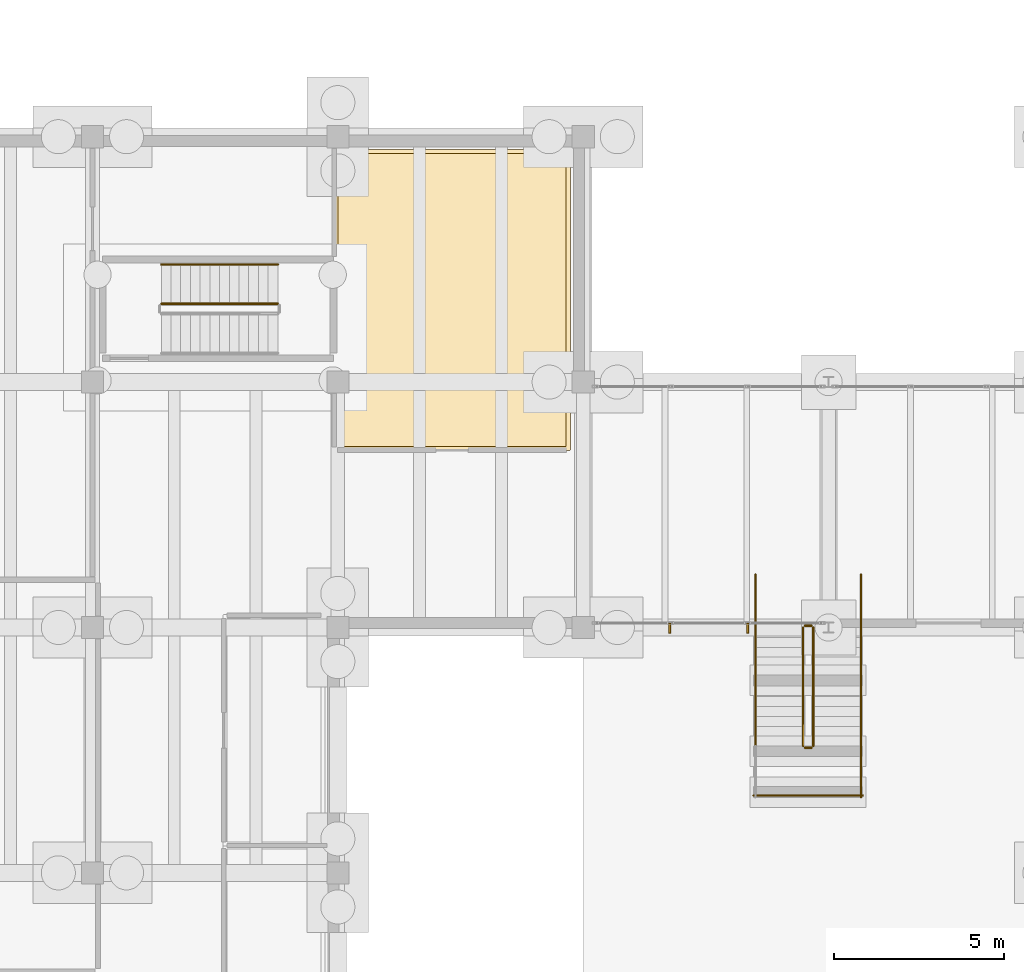
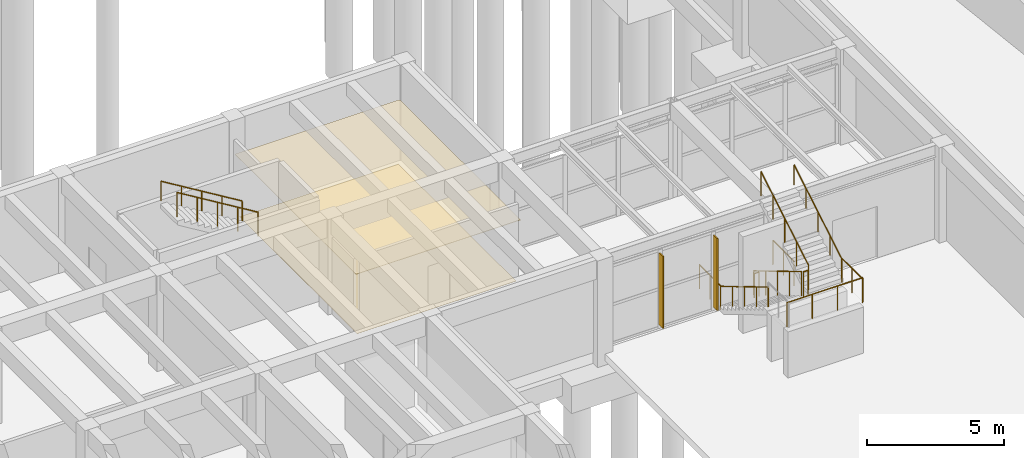
# One storey, part 24 of 28: 12 railings, 2 coverings, 2 shading devices.
"""IFC4 building model written with IfcOpenShell, lengths in metres."""

from ifc_helpers import new_model, si_unit, direction, frame, origin, origin_2d, place, context, subcontext, project, spatial, polyline, rectangle, circle, outline, extrude, material, layer, layer_set, type_object, element, save


model = new_model("IFC4")

# Units and contexts
model_context = context("Model", 3, precision=1e-05, world=origin(), true_north=direction((0.0, 1.0)))
body_context = subcontext(model_context, "Body", "Model", "MODEL_VIEW")
ifc_project = project(units=[si_unit("LENGTHUNIT", "METRE"), si_unit("AREAUNIT", "SQUARE_METRE"), si_unit("VOLUMEUNIT", "CUBIC_METRE"), si_unit("PLANEANGLEUNIT", "RADIAN"), si_unit("MASSUNIT", "GRAM", prefix="KILO")], contexts=[model_context])

# Site, building, storey
site_placement = place(None, origin())
site = spatial("IfcSite", under=ifc_project, at=site_placement, CompositionType="ELEMENT")
building_placement = place(site_placement, origin())
building = spatial("IfcBuilding", under=site, at=building_placement, Name="Bramvelor Terrace Health Centre", CompositionType="ELEMENT")
storey_placement = place(building_placement, frame((0.0, 0.0, -4.5)))
storey = spatial("IfcBuildingStorey", under=building, at=storey_placement, Name="B1", CompositionType="ELEMENT", Elevation=-4.5)

# Coverings
ifc_material_1 = material(Name="Hygienic mineral-fibre acoustic ceiling", Category="gypsum")
ifc_layer_1 = layer(ifc_material_1, 0.02001953125)
ifc_layer_set_1 = layer_set([ifc_layer_1], Name="Hygienic mineral-fibre acoustic ceiling")
covering_type_1 = type_object("IfcCoveringType", Name="COV-CLG-ACT", PredefinedType="CEILING", material=ifc_layer_set_1)
covering_1_placement = place(storey_placement, frame((0.0, 0.0, 2.75)))
element("IfcCovering", 1, at=covering_1_placement, inside=storey, type_object=covering_type_1, Name="B1 Bulk Pharmacy Cold-Chain Store Acoustic Ceiling", PredefinedType="CEILING", context=body_context, shape_type="SweptSolid", body=[
    extrude(outline(polyline([(21.47998046875, 64.39990234375), (21.47998046875, 64.402099609375), (21.48046875, 64.40380859375), (21.48095703125, 64.40576171875), (21.4814453125, 64.40771484375), (21.482421875, 64.409423828125), (21.4833984375, 64.4111328125), (21.484619140625, 64.41259765625), (21.48583984375, 64.4140625), (21.4873046875, 64.41552734375), (21.489013671875, 64.41650390625), (21.490478515625, 64.41748046875), (21.4921875, 64.41845703125), (21.494140625, 64.419189453125), (21.49609375, 64.419677734375), (21.498046875, 64.419921875), (21.5, 64.419921875), (28.39990234375, 64.419921875), (28.402099609375, 64.419921875), (28.40380859375, 64.419677734375), (28.40576171875, 64.419189453125), (28.40771484375, 64.41845703125), (28.409423828125, 64.41748046875), (28.4111328125, 64.41650390625), (28.41259765625, 64.41552734375), (28.4140625, 64.4140625), (28.41552734375, 64.41259765625), (28.41650390625, 64.4111328125), (28.41748046875, 64.409423828125), (28.41845703125, 64.40771484375), (28.419189453125, 64.40576171875), (28.419677734375, 64.40380859375), (28.419921875, 64.402099609375), (28.419921875, 64.39990234375), (28.419921875, 55.610107421875), (28.419921875, 55.60791015625), (28.419677734375, 55.606201171875), (28.419189453125, 55.604248046875), (28.41845703125, 55.602294921875), (28.41748046875, 55.6005859375), (28.41650390625, 55.598876953125), (28.41552734375, 55.597412109375), (28.4140625, 55.595947265625), (28.41259765625, 55.594482421875), (28.4111328125, 55.593505859375), (28.409423828125, 55.59228515625), (28.40771484375, 55.591552734375), (28.40576171875, 55.5908203125), (28.40380859375, 55.59033203125), (28.402099609375, 55.590087890625), (28.39990234375, 55.590087890625), (21.5, 55.590087890625), (21.498046875, 55.590087890625), (21.49609375, 55.59033203125), (21.494140625, 55.5908203125), (21.4921875, 55.591552734375), (21.490478515625, 55.59228515625), (21.489013671875, 55.593505859375), (21.4873046875, 55.594482421875), (21.48583984375, 55.595947265625), (21.484619140625, 55.597412109375), (21.4833984375, 55.598876953125), (21.482421875, 55.6005859375), (21.4814453125, 55.602294921875), (21.48095703125, 55.604248046875), (21.48046875, 55.606201171875), (21.47998046875, 55.60791015625), (21.47998046875, 55.610107421875), (21.47998046875, 64.39990234375)])), origin(), (0.0, 0.0, 1.0), 0.02001953125),
])
ifc_material_2 = material(Name="Seamless antimicrobial clinical vinyl", Category="polymer")
ifc_layer_2 = layer(ifc_material_2, 0.008056640625)
ifc_layer_set_2 = layer_set([ifc_layer_2], Name="Seamless antimicrobial clinical vinyl")
covering_type_2 = type_object("IfcCoveringType", Name="COV-FLR-VNL", PredefinedType="FLOORING", material=ifc_layer_set_2)
covering_2_placement = place(storey_placement, origin())
element("IfcCovering", 2, at=covering_2_placement, inside=storey, type_object=covering_type_2, Name="B1 Bulk Pharmacy Cold-Chain Store Clinical Vinyl Flooring", PredefinedType="FLOORING", context=body_context, shape_type="SweptSolid", body=[
    extrude(outline(polyline([(21.60009765625, 64.300048828125), (28.300048828125, 64.300048828125), (28.300048828125, 55.7099609375), (21.60009765625, 55.7099609375), (21.60009765625, 64.300048828125)])), origin(), (0.0, 0.0, 1.0), 0.008056640625),
])

# Railings
ifc_material_3 = material(Name="Painted galvanized steel", Category="steel")
railing_type_1 = type_object("IfcRailingType", Name="RLG-GD-1100", PredefinedType="GUARDRAIL", material=ifc_material_3)
railing_1_placement = place(storey_placement, frame((19.840087890625, 59.89990234375, 2.423095703125)))
element("IfcRailing", 3, at=railing_1_placement, inside=storey, type_object=railing_type_1, Name="B1 ST-6 stair guard 3", PredefinedType="GUARDRAIL", context=body_context, shape_type="SweptSolid", body=[
    extrude(circle(Radius=0.02392578125, at=origin_2d()), frame((0.0, 0.0, 1.076171875), z_axis=(-0.854745945586, 0.0, 0.519046595696), x_axis=(0.0, -1.0, 0.0)), (0.0, 0.0, 1.0), 4.00146484375),
    extrude(circle(Radius=0.02099609375, at=origin_2d()), origin(), (0.0, 0.0, 1.0), 1.052001953125),
    extrude(circle(Radius=0.02099609375, at=origin_2d()), frame((-0.85498046875, 0.0, 0.519287109375)), (0.0, 0.0, 1.0), 1.052001953125),
    extrude(circle(Radius=0.02099609375, at=origin_2d()), frame((-1.7099609375, 0.0, 1.03857421875)), (0.0, 0.0, 1.0), 1.052001953125),
    extrude(circle(Radius=0.02099609375, at=origin_2d()), frame((-2.565185546875, 0.0, 1.5576171875)), (0.0, 0.0, 1.0), 1.052001953125),
    extrude(circle(Radius=0.02099609375, at=origin_2d()), frame((-3.420166015625, 0.0, 2.076904296875)), (0.0, 0.0, 1.0), 1.052001953125),
])
ifc_material_4 = material(Name="Painted galvanized steel", Category="steel")
railing_type_2 = type_object("IfcRailingType", Name="RLG-GD-EXT1100", PredefinedType="GUARDRAIL", material=ifc_material_4)
railing_2_placement = place(storey_placement, frame((35.25, 50.39990234375, 0.173095703125)))
element("IfcRailing", 4, at=railing_2_placement, inside=storey, type_object=railing_type_2, Name="B1 STE-1 stair guard 1", PredefinedType="GUARDRAIL", context=body_context, shape_type="SweptSolid", body=[
    extrude(circle(Radius=0.02392578125, at=origin_2d()), frame((0.0, 0.0, 1.076171875), z_axis=(0.0, -0.858697190188, 0.512483302717), x_axis=(1.0, 0.0, 0.0)), (0.0, 0.0, 1.0), 4.052734375),
    extrude(circle(Radius=0.02099609375, at=origin_2d()), origin(), (0.0, 0.0, 1.0), 1.052001953125),
    extrude(circle(Radius=0.02099609375, at=origin_2d()), frame((0.0, -0.8701171875, 0.519287109375)), (0.0, 0.0, 1.0), 1.052001953125),
    extrude(circle(Radius=0.02099609375, at=origin_2d()), frame((0.0, -1.739990234375, 1.03857421875)), (0.0, 0.0, 1.0), 1.052001953125),
    extrude(circle(Radius=0.02099609375, at=origin_2d()), frame((0.0, -2.60986328125, 1.5576171875)), (0.0, 0.0, 1.0), 1.052001953125),
    extrude(circle(Radius=0.02099609375, at=origin_2d()), frame((0.0, -3.47998046875, 2.076904296875)), (0.0, 0.0, 1.0), 1.052001953125),
])
railing_3_placement = place(storey_placement, frame((35.300048828125, 46.8701171875, 2.25)))
element("IfcRailing", 5, at=railing_3_placement, inside=storey, type_object=railing_type_2, Name="B1 STE-1 stair guard 2", PredefinedType="GUARDRAIL", context=body_context, shape_type="SweptSolid", body=[
    extrude(circle(Radius=0.02392578125, at=origin_2d()), frame((0.0, 0.0, 1.076171875), z_axis=(1.0, 0.0, 0.0), x_axis=(0.0, 1.0, 0.0)), (0.0, 0.0, 1.0), 0.199951171875),
    extrude(circle(Radius=0.02099609375, at=origin_2d()), origin(), (0.0, 0.0, 1.0), 1.052001953125),
    extrude(circle(Radius=0.02099609375, at=origin_2d()), frame((0.199951171875, 0.0, 0.0)), (0.0, 0.0, 1.0), 1.052001953125),
])
railing_4_placement = place(storey_placement, frame((36.949951171875, 46.919921875, 2.25)))
element("IfcRailing", 6, at=railing_4_placement, inside=storey, type_object=railing_type_2, Name="B1 STE-1 stair guard 4", PredefinedType="GUARDRAIL", context=body_context, shape_type="SweptSolid", body=[
    extrude(circle(Radius=0.02392578125, at=origin_2d()), frame((0.0, 0.0, 1.076171875), z_axis=(0.0, -1.0, 0.0), x_axis=(1.0, 0.0, 0.0)), (0.0, 0.0, 1.0), 1.5),
    extrude(circle(Radius=0.02099609375, at=origin_2d()), origin(), (0.0, 0.0, 1.0), 1.052001953125),
    extrude(circle(Radius=0.02099609375, at=origin_2d()), frame((0.0, -0.75, 0.0)), (0.0, 0.0, 1.0), 1.052001953125),
    extrude(circle(Radius=0.02099609375, at=origin_2d()), frame((0.0, -1.5, 0.0)), (0.0, 0.0, 1.0), 1.052001953125),
])
railing_5_placement = place(storey_placement, frame((33.800048828125, 45.469970703125, 2.25)))
element("IfcRailing", 7, at=railing_5_placement, inside=storey, type_object=railing_type_2, Name="B1 STE-1 stair guard 5", PredefinedType="GUARDRAIL", context=body_context, shape_type="SweptSolid", body=[
    extrude(circle(Radius=0.02392578125, at=origin_2d()), frame((0.0, 0.0, 1.076171875), z_axis=(1.0, 0.0, 0.0), x_axis=(0.0, 1.0, 0.0)), (0.0, 0.0, 1.0), 3.199951171875),
    extrude(circle(Radius=0.02099609375, at=origin_2d()), origin(), (0.0, 0.0, 1.0), 1.052001953125),
    extrude(circle(Radius=0.02099609375, at=origin_2d()), frame((1.066650390625, 0.0, 0.0)), (0.0, 0.0, 1.0), 1.052001953125),
    extrude(circle(Radius=0.02099609375, at=origin_2d()), frame((2.13330078125, 0.0, 0.0)), (0.0, 0.0, 1.0), 1.052001953125),
    extrude(circle(Radius=0.02099609375, at=origin_2d()), frame((3.199951171875, 0.0, 0.0)), (0.0, 0.0, 1.0), 1.052001953125),
])
railing_6_placement = place(storey_placement, frame((35.550048828125, 46.919921875, 2.423095703125)))
element("IfcRailing", 8, at=railing_6_placement, inside=storey, type_object=railing_type_2, Name="B1 STE-1 stair guard 6", PredefinedType="GUARDRAIL", context=body_context, shape_type="SweptSolid", body=[
    extrude(circle(Radius=0.02392578125, at=origin_2d()), frame((0.0, 0.0, 1.076171875), z_axis=(0.0, 0.858697190188, 0.512483302717), x_axis=(-1.0, 0.0, 0.0)), (0.0, 0.0, 1.0), 4.052734375),
    extrude(circle(Radius=0.02099609375, at=origin_2d()), origin(), (0.0, 0.0, 1.0), 1.052001953125),
    extrude(circle(Radius=0.02099609375, at=origin_2d()), frame((0.0, 0.8701171875, 0.519287109375)), (0.0, 0.0, 1.0), 1.052001953125),
    extrude(circle(Radius=0.02099609375, at=origin_2d()), frame((0.0, 1.739990234375, 1.03857421875)), (0.0, 0.0, 1.0), 1.052001953125),
    extrude(circle(Radius=0.02099609375, at=origin_2d()), frame((0.0, 2.60986328125, 1.5576171875)), (0.0, 0.0, 1.0), 1.052001953125),
    extrude(circle(Radius=0.02099609375, at=origin_2d()), frame((0.0, 3.47998046875, 2.076904296875)), (0.0, 0.0, 1.0), 1.052001953125),
])
railing_7_placement = place(storey_placement, frame((35.300048828125, 50.449951171875, 0.0)))
element("IfcRailing", 9, at=railing_7_placement, inside=storey, type_object=railing_type_2, Name="B1 STE-1 stair guard 7", PredefinedType="GUARDRAIL", context=body_context, shape_type="SweptSolid", body=[
    extrude(circle(Radius=0.02392578125, at=origin_2d()), frame((0.0, 0.0, 1.076171875), z_axis=(1.0, 0.0, 0.0), x_axis=(0.0, 1.0, 0.0)), (0.0, 0.0, 1.0), 0.199951171875),
    extrude(circle(Radius=0.02099609375, at=origin_2d()), origin(), (0.0, 0.0, 1.0), 1.052001953125),
    extrude(circle(Radius=0.02099609375, at=origin_2d()), frame((0.199951171875, 0.0, 0.0)), (0.0, 0.0, 1.0), 1.052001953125),
])
for number, where, name in (
    (10, (33.85009765625, 51.949951171875, 0.0), "B1 STE-1 stair guard 8"),
    (11, (36.949951171875, 51.949951171875, 0.0), "B1 STE-1 stair guard 9"),
):
    element("IfcRailing", number, at=place(storey_placement, frame(where)), inside=storey, type_object=railing_type_2, Name=name, PredefinedType="GUARDRAIL", context=body_context, shape_type="SweptSolid", body=[
        extrude(circle(Radius=0.02392578125, at=origin_2d()), frame((0.0, 0.0, 1.076171875), z_axis=(0.0, -1.0, 0.0), x_axis=(1.0, 0.0, 0.0)), (0.0, 0.0, 1.0), 1.550048828125),
        extrude(circle(Radius=0.02099609375, at=origin_2d()), origin(), (0.0, 0.0, 1.0), 1.052001953125),
        extrude(circle(Radius=0.02099609375, at=origin_2d()), frame((0.0, -0.77490234375, 0.0)), (0.0, 0.0, 1.0), 1.052001953125),
        extrude(circle(Radius=0.02099609375, at=origin_2d()), frame((0.0, -1.550048828125, 0.0)), (0.0, 0.0, 1.0), 1.052001953125),
    ])
ifc_material_5 = material(Name="Brushed stainless steel 316", Category="steel")
railing_type_3 = type_object("IfcRailingType", Name="RLG-HR-900", PredefinedType="HANDRAIL", material=ifc_material_5)
railing_8_placement = place(storey_placement, frame((19.840087890625, 61.050048828125, 2.423095703125)))
element("IfcRailing", 12, at=railing_8_placement, inside=storey, type_object=railing_type_3, Name="B1 ST-6 stair handrail 2", PredefinedType="HANDRAIL", context=body_context, shape_type="SweptSolid", body=[
    extrude(circle(Radius=0.02392578125, at=origin_2d()), frame((0.0, 0.0, 0.8759765625), z_axis=(-0.854745945586, 0.0, 0.519046595696), x_axis=(0.0, -1.0, 0.0)), (0.0, 0.0, 1.0), 4.00146484375),
    extrude(circle(Radius=0.02099609375, at=origin_2d()), origin(), (0.0, 0.0, 1.0), 0.851806640625),
    extrude(circle(Radius=0.02099609375, at=origin_2d()), frame((-0.85498046875, 0.0, 0.519287109375)), (0.0, 0.0, 1.0), 0.851806640625),
    extrude(circle(Radius=0.02099609375, at=origin_2d()), frame((-1.7099609375, 0.0, 1.03857421875)), (0.0, 0.0, 1.0), 0.851806640625),
    extrude(circle(Radius=0.02099609375, at=origin_2d()), frame((-2.565185546875, 0.0, 1.5576171875)), (0.0, 0.0, 1.0), 0.851806640625),
    extrude(circle(Radius=0.02099609375, at=origin_2d()), frame((-3.420166015625, 0.0, 2.076904296875)), (0.0, 0.0, 1.0), 0.851806640625),
])
ifc_material_6 = material(Name="Brushed stainless steel 316", Category="steel")
railing_type_4 = type_object("IfcRailingType", Name="RLG-HR-EXT900", PredefinedType="HANDRAIL", material=ifc_material_6)
railing_9_placement = place(storey_placement, frame((33.85009765625, 50.39990234375, 0.173095703125)))
element("IfcRailing", 13, at=railing_9_placement, inside=storey, type_object=railing_type_4, Name="B1 STE-1 stair handrail 1", PredefinedType="HANDRAIL", context=body_context, shape_type="SweptSolid", body=[
    extrude(circle(Radius=0.02392578125, at=origin_2d()), frame((0.0, 0.0, 0.8759765625), z_axis=(0.0, -0.858697190188, 0.512483302717), x_axis=(1.0, 0.0, 0.0)), (0.0, 0.0, 1.0), 4.052734375),
    extrude(circle(Radius=0.02099609375, at=origin_2d()), origin(), (0.0, 0.0, 1.0), 0.851806640625),
    extrude(circle(Radius=0.02099609375, at=origin_2d()), frame((0.0, -0.8701171875, 0.519287109375)), (0.0, 0.0, 1.0), 0.851806640625),
    extrude(circle(Radius=0.02099609375, at=origin_2d()), frame((0.0, -1.739990234375, 1.03857421875)), (0.0, 0.0, 1.0), 0.851806640625),
    extrude(circle(Radius=0.02099609375, at=origin_2d()), frame((0.0, -2.60986328125, 1.5576171875)), (0.0, 0.0, 1.0), 0.851806640625),
    extrude(circle(Radius=0.02099609375, at=origin_2d()), frame((0.0, -3.47998046875, 2.076904296875)), (0.0, 0.0, 1.0), 0.851806640625),
])
railing_10_placement = place(storey_placement, frame((36.949951171875, 46.919921875, 2.423095703125)))
element("IfcRailing", 14, at=railing_10_placement, inside=storey, type_object=railing_type_4, Name="B1 STE-1 stair handrail 2", PredefinedType="HANDRAIL", context=body_context, shape_type="SweptSolid", body=[
    extrude(circle(Radius=0.02392578125, at=origin_2d()), frame((0.0, 0.0, 0.8759765625), z_axis=(0.0, 0.858697190188, 0.512483302717), x_axis=(-1.0, 0.0, 0.0)), (0.0, 0.0, 1.0), 4.052734375),
    extrude(circle(Radius=0.02099609375, at=origin_2d()), origin(), (0.0, 0.0, 1.0), 0.851806640625),
    extrude(circle(Radius=0.02099609375, at=origin_2d()), frame((0.0, 0.8701171875, 0.519287109375)), (0.0, 0.0, 1.0), 0.851806640625),
    extrude(circle(Radius=0.02099609375, at=origin_2d()), frame((0.0, 1.739990234375, 1.03857421875)), (0.0, 0.0, 1.0), 0.851806640625),
    extrude(circle(Radius=0.02099609375, at=origin_2d()), frame((0.0, 2.60986328125, 1.5576171875)), (0.0, 0.0, 1.0), 0.851806640625),
    extrude(circle(Radius=0.02099609375, at=origin_2d()), frame((0.0, 3.47998046875, 2.076904296875)), (0.0, 0.0, 1.0), 0.851806640625),
])

# Shading devices
ifc_material_7 = material(Name="Anodized aluminium 6063-T6", Category="aluminium")
ifc_layer_3 = layer(ifc_material_7, 0.050048828125)
ifc_layer_set_3 = layer_set([ifc_layer_3], Name="Anodized aluminium 6063-T6")
shading_device_type = type_object("IfcShadingDeviceType", Name="SHD-FIN-300", PredefinedType="JALOUSIE", material=ifc_layer_set_3)
for number, where, z_axis, x_axis, name in (
    (15, (33.6298828125, 50.3798828125, 0.14990234375), (0.0, 0.0, 1.0), (1.0, 0.0, 0.0), "B1 Solar Shading Louvre Fin 1"),
    (16, (31.34130859375, 50.3798828125, 0.14990234375), (0.0, 0.0, 1.0), (1.0, 0.0, 0.0), "B1 Solar Shading Louvre Fin 2"),
):
    element("IfcShadingDevice", number, at=place(storey_placement, frame(where, z_axis=z_axis, x_axis=x_axis)), inside=storey, type_object=shading_device_type, Name=name, PredefinedType="JALOUSIE", context=body_context, shape_type="SweptSolid", body=[
        extrude(rectangle(XDim=0.050048828125, YDim=0.300048828125, at=origin_2d()), origin(), (0.0, 0.0, 1.0), 3.2099609375),
    ])

save(model, "model.ifc")
